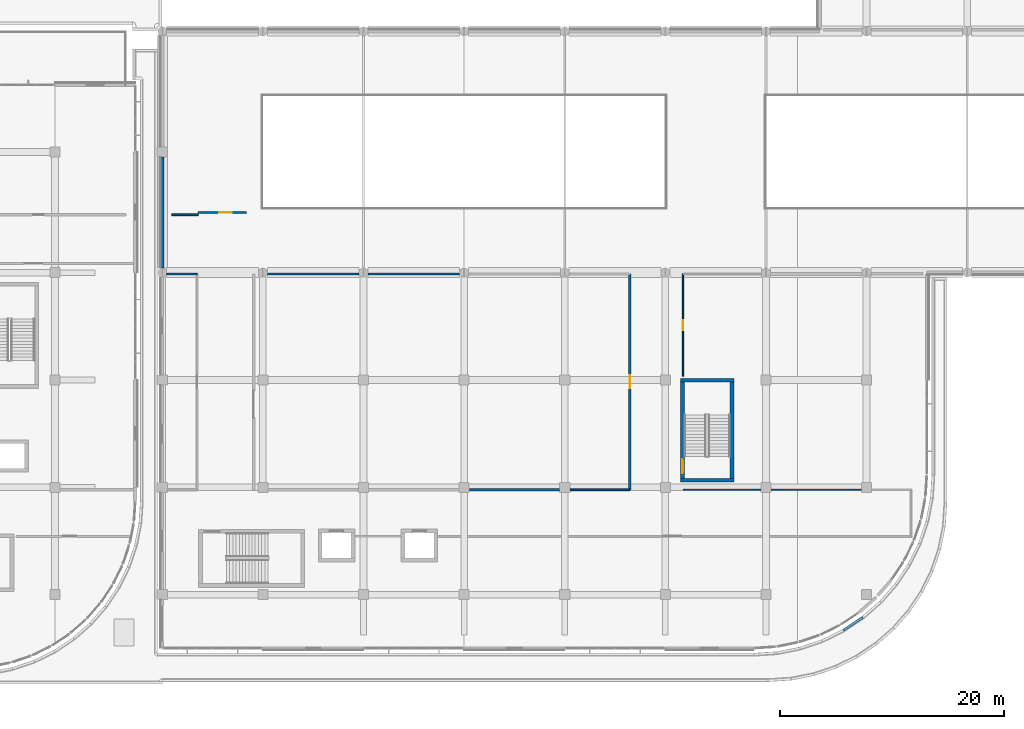
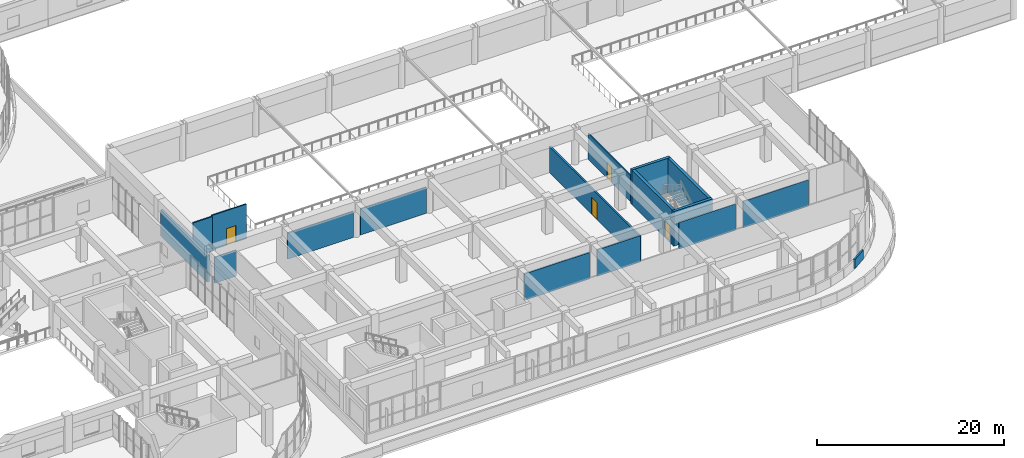
# One storey, part 66 of 96: 17 walls, 4 doors, 4 openings.
"""IFC4 building model written with IfcOpenShell, lengths in metres."""

from ifc_helpers import new_model, si_unit, direction, frame, frame_2d, origin, place, context, subcontext, project, spatial, rectangle, extrude, material, layer, layer_set, type_object, element, fill, save


model = new_model("IFC4")

# Units and contexts
model_context = context("Model", 3, precision=1e-05, world=origin(), true_north=direction((0.0, 1.0)))
body_context = subcontext(model_context, "Body", "Model", "MODEL_VIEW")
ifc_project = project(units=[si_unit("LENGTHUNIT", "METRE"), si_unit("AREAUNIT", "SQUARE_METRE"), si_unit("VOLUMEUNIT", "CUBIC_METRE"), si_unit("PLANEANGLEUNIT", "RADIAN"), si_unit("MASSUNIT", "GRAM", prefix="KILO")], contexts=[model_context])

# Site, building, storey
site_placement = place(None, origin())
site = spatial("IfcSite", under=ifc_project, at=site_placement, CompositionType="ELEMENT")
building_placement = place(site_placement, origin())
building = spatial("IfcBuilding", under=site, at=building_placement, Name="Cendralis Terraced Arcade", CompositionType="ELEMENT")
storey_placement = place(building_placement, frame((0.0, 0.0, 10.199951171875)))
storey = spatial("IfcBuildingStorey", under=building, at=storey_placement, Name="L02", CompositionType="ELEMENT", Elevation=10.199951171875)

# Wall, opening, door
ifc_material_1 = material(Name="Gypsum plasterboard acoustic partition", Category="concrete")
ifc_layer_1 = layer(ifc_material_1, 0.199951171875, Name="WL-ACOU-200")
ifc_layer_set_1 = layer_set([ifc_layer_1], Name="Gypsum plasterboard acoustic partition")
wall_type_1 = type_object("IfcWallType", Name="WL-ACOU-200", PredefinedType="PARTITIONING", material=ifc_layer_set_1)
wall_1_placement = place(storey_placement, frame((109.02001953125, 38.280029296875, 0.0), z_axis=(0.0, 0.0, 1.0), x_axis=(0.0, -1.0, 0.0)))
wall_1 = element("IfcWall", 1, at=wall_1_placement, inside=storey, type_object=wall_type_1, Name="Interior Partition Wall IW-L02-0487", PredefinedType="PARTITIONING", context=body_context, shape_type="SweptSolid", body=[
    extrude(rectangle(XDim=19.300048828125, YDim=0.199951171875, at=frame_2d((9.64990234375, 0.0))), origin(), (0.0, 0.0, 1.0), 3.39013671875),
])
opening_1_placement = place(wall_1_placement, frame((9.074951171875, 0.0, 0.0)))
opening_1 = element("IfcOpeningElement", 2, at=opening_1_placement, cuts=wall_1, Name="Opening D-L02-134", PredefinedType="OPENING", context=body_context, shape_type="SweptSolid", body=[
    extrude(rectangle(XDim=1.14990234375, YDim=2.199951171875, at=frame_2d((0.574951171875, 1.10009765625))), frame((0.0, 0.11181640625, 0.0), z_axis=(0.0, -1.0, 0.0), x_axis=(1.0, 0.0, 0.0)), (0.0, 0.0, 1.0), 0.223876953125),
])
ifc_material_2 = material(Name="Solid core Andean oak veneer door leaf", Category="aluminium")
door_type_1 = type_object("IfcDoorType", Name="ID-RM-1150x2200", OperationType="NOTDEFINED", PredefinedType="DOOR", material=ifc_material_2)
door_1_placement = place(opening_1_placement, origin())
door_1 = element("IfcDoor", 3, at=door_1_placement, inside=storey, type_object=door_type_1, Name="Artisan Coffee Roastery and Cafe Gallery Door D-L02-134", OperationType="SINGLE_SWING_LEFT", OverallHeight=2.199951171875, OverallWidth=1.14990234375, PredefinedType="DOOR", context=body_context, shape_type="SweptSolid", body=[
    extrude(rectangle(XDim=1.14990234375, YDim=2.199951171875, at=frame_2d((0.574951171875, 1.10009765625))), frame((0.0, 0.02490234375, 0.0), z_axis=(0.0, -1.0, 0.0), x_axis=(1.0, 0.0, 0.0)), (0.0, 0.0, 1.0), 0.050048828125),
])
fill(opening_1, door_1)

# Walls
ifc_material_3 = material(Name="Concrete f'c 42 MPa", Category="concrete")
ifc_layer_2 = layer(ifc_material_3, 0.340087890625, Name="WL-CORE-340")
ifc_layer_set_2 = layer_set([ifc_layer_2], Name="Concrete f'c 42 MPa")
wall_type_2 = type_object("IfcWallType", Name="WL-CORE-340", PredefinedType="SHEAR", material=ifc_layer_set_2)
for number, where, z_axis, x_axis, name in (
    (4, (113.56005859375, 19.830078125, 0.0), (0.0, 0.0, 1.0), (1.0, 0.0, 0.0), "Stair Core Reinforced Concrete Shear Wall SW-ST-09-L02-S"),
    (5, (113.56005859375, 28.77001953125, 0.0), (0.0, 0.0, 1.0), (1.0, 0.0, 0.0), "Stair Core Reinforced Concrete Shear Wall SW-ST-09-L02-N"),
):
    element("IfcWall", number, at=place(storey_placement, frame(where, z_axis=z_axis, x_axis=x_axis)), inside=storey, type_object=wall_type_2, Name=name, PredefinedType="SHEAR", context=body_context, shape_type="SweptSolid", body=[
        extrude(rectangle(XDim=4.780029296875, YDim=0.340087890625, at=frame_2d((2.39013671875, 0.0))), origin(), (0.0, 0.0, 1.0), 4.51513671875),
    ])
wall_2_placement = place(storey_placement, frame((118.169921875, 20.0, 0.0), z_axis=(0.0, 0.0, 1.0), x_axis=(0.0, 1.0, 0.0)))
element("IfcWall", 6, at=wall_2_placement, inside=storey, type_object=wall_type_2, Name="Stair Core Reinforced Concrete Shear Wall SW-ST-09-L02-E", PredefinedType="SHEAR", context=body_context, shape_type="SweptSolid", body=[
    extrude(rectangle(XDim=8.60009765625, YDim=0.340087890625, at=frame_2d((4.300048828125, 0.0))), origin(), (0.0, 0.0, 1.0), 4.51513671875),
])

# Wall, opening, door
wall_3_placement = place(storey_placement, frame((113.72998046875, 20.0, 0.0), z_axis=(0.0, 0.0, 1.0), x_axis=(0.0, 1.0, 0.0)))
wall_3 = element("IfcWall", 7, at=wall_3_placement, inside=storey, type_object=wall_type_2, Name="Stair Core Reinforced Concrete Shear Wall SW-ST-09-L02-W", PredefinedType="SHEAR", context=body_context, shape_type="SweptSolid", body=[
    extrude(rectangle(XDim=8.60009765625, YDim=0.340087890625, at=frame_2d((4.300048828125, 0.0))), origin(), (0.0, 0.0, 1.0), 4.51513671875),
])
opening_2_placement = place(wall_3_placement, frame((0.449951171875, 0.0, 0.0)))
opening_2 = element("IfcOpeningElement", 8, at=opening_2_placement, cuts=wall_3, Name="Opening D-ST-09-L02", PredefinedType="OPENING", context=body_context, shape_type="SweptSolid", body=[
    extrude(rectangle(XDim=1.25, YDim=2.199951171875, at=frame_2d((0.625, 1.10009765625))), frame((0.0, 0.18212890625, 0.0), z_axis=(0.0, -1.0, 0.0), x_axis=(1.0, 0.0, 0.0)), (0.0, 0.0, 1.0), 0.364013671875),
])
ifc_material_4 = material(Name="Galvanised fire-rated steel door assembly", Category="steel")
door_type_2 = type_object("IfcDoorType", Name="ID-ST-1250x2200", OperationType="NOTDEFINED", PredefinedType="DOOR", material=ifc_material_4)
door_2_placement = place(opening_2_placement, frame((1.25, 0.0, 0.0), z_axis=(0.0, 0.0, 1.0), x_axis=(-1.0, 0.0, 0.0)))
door_2 = element("IfcDoor", 9, at=door_2_placement, inside=storey, type_object=door_type_2, Name="Protected Stair ST-09 Fire Door (L02)", OperationType="SINGLE_SWING_RIGHT", OverallHeight=2.199951171875, OverallWidth=1.25, PredefinedType="DOOR", context=body_context, shape_type="SweptSolid", body=[
    extrude(rectangle(XDim=1.25, YDim=2.199951171875, at=frame_2d((0.625, 1.10009765625))), frame((0.0, 0.02490234375, 0.0), z_axis=(0.0, -1.0, 0.0), x_axis=(1.0, 0.0, 0.0)), (0.0, 0.0, 1.0), 0.050048828125),
])
fill(opening_2, door_2)

# Walls
ifc_material_5 = material(Name="Precast concrete f'c 40 MPa", Category="concrete")
ifc_layer_3 = layer(ifc_material_5, 0.300048828125, Name="WL-EXT-GRC-300")
ifc_layer_set_3 = layer_set([ifc_layer_3], Name="Precast concrete f'c 40 MPa")
wall_type_3 = type_object("IfcWallType", Name="WL-EXT-GRC-300", PredefinedType="SOLIDWALL", material=ifc_layer_set_3)
wall_4_placement = place(storey_placement, frame((67.199951171875, 38.798095703125, 0.0), z_axis=(0.0, 0.0, 1.0), x_axis=(0.0, 1.0, 0.0)))
element("IfcWall", 10, at=wall_4_placement, inside=storey, type_object=wall_type_3, Name="Exterior Architectural Wall EW-L02-0211", PredefinedType="SOLIDWALL", context=body_context, shape_type="SweptSolid", body=[
    extrude(rectangle(XDim=9.953857421875, YDim=0.300048828125, at=frame_2d((4.97705078125, 0.0))), origin(), (0.0, 0.0, 1.0), 3.39013671875),
])
ifc_layer_4 = layer(ifc_material_5, 0.205078125, Name="WL-PAR-205")
ifc_layer_set_4 = layer_set([ifc_layer_4], Name="Precast concrete f'c 40 MPa")
wall_type_4 = type_object("IfcWallType", Name="WL-PAR-205", PredefinedType="PARAPET", material=ifc_layer_set_4)
wall_5_placement = place(storey_placement, frame((128.12841796875, 6.41015625, 0.0), z_axis=(0.0, 0.0, 1.0), x_axis=(0.831490789314, 0.555538538074, 0.0)))
element("IfcWall", 11, at=wall_5_placement, inside=storey, type_object=wall_type_4, Name="Precast Concrete Roof Parapet Wall PAR-L02-160", PredefinedType="PARAPET", context=body_context, shape_type="SweptSolid", body=[
    extrude(rectangle(XDim=2.08251953125, YDim=0.205078125, at=frame_2d((1.041259765625, 0.0))), origin(), (0.0, 0.0, 1.0), 1.199951171875),
])
ifc_layer_5 = layer(ifc_material_1, 0.117919921875, Name="WL-PART-118")
ifc_layer_set_5 = layer_set([ifc_layer_5], Name="Gypsum plasterboard acoustic partition")
wall_type_5 = type_object("IfcWallType", Name="WL-PART-118", PredefinedType="PARTITIONING", material=ifc_layer_set_5)
wall_6_placement = place(storey_placement, frame((120.72998046875, 18.97998046875, 0.0), z_axis=(0.0, 0.0, 1.0), x_axis=(-1.0, 0.0, 0.0)))
element("IfcWall", 12, at=wall_6_placement, inside=storey, type_object=wall_type_5, Name="Interior Partition Wall IW-L02-0480", PredefinedType="PARTITIONING", context=body_context, shape_type="SweptSolid", body=[
    extrude(rectangle(XDim=6.949951171875, YDim=0.117919921875, at=frame_2d((3.47509765625, 0.0))), origin(), (0.0, 0.0, 1.0), 3.455078125),
])
ifc_layer_6 = layer(ifc_material_1, 0.1259765625, Name="WL-PART-126")
ifc_layer_set_6 = layer_set([ifc_layer_6], Name="Gypsum plasterboard acoustic partition")
wall_type_6 = type_object("IfcWallType", Name="WL-PART-126", PredefinedType="PARTITIONING", material=ifc_layer_set_6)
wall_7_placement = place(storey_placement, frame((129.72998046875, 18.97998046875, 0.0), z_axis=(0.0, 0.0, 1.0), x_axis=(-1.0, 0.0, 0.0)))
element("IfcWall", 13, at=wall_7_placement, inside=storey, type_object=wall_type_6, Name="Interior Partition Wall IW-L02-0478", PredefinedType="PARTITIONING", context=body_context, shape_type="SweptSolid", body=[
    extrude(rectangle(XDim=8.06005859375, YDim=0.1259765625, at=frame_2d((4.030029296875, 0.0))), origin(), (0.0, 0.0, 1.0), 3.455078125),
])

# Wall, opening, door
ifc_layer_7 = layer(ifc_material_1, 0.1298828125, Name="WL-PART-130")
ifc_layer_set_7 = layer_set([ifc_layer_7], Name="Gypsum plasterboard acoustic partition")
wall_type_7 = type_object("IfcWallType", Name="WL-PART-130", PredefinedType="PARTITIONING", material=ifc_layer_set_7)
wall_8_placement = place(storey_placement, frame((113.780029296875, 29.126220703125, 0.0), z_axis=(0.0, 0.0, 1.0), x_axis=(0.0, 1.0, 0.0)))
wall_8 = element("IfcWall", 14, at=wall_8_placement, inside=storey, type_object=wall_type_7, Name="Interior Partition Wall IW-L02-0477", PredefinedType="PARTITIONING", context=body_context, shape_type="SweptSolid", body=[
    extrude(rectangle(XDim=9.15380859375, YDim=0.1298828125, at=frame_2d((4.576904296875, 0.0))), origin(), (0.0, 0.0, 1.0), 3.39013671875),
])
opening_3_placement = place(wall_8_placement, frame((4.116943359375, 0.0, 0.0)))
opening_3 = element("IfcOpeningElement", 15, at=opening_3_placement, cuts=wall_8, Name="Opening D-L02-132", PredefinedType="OPENING", context=body_context, shape_type="SweptSolid", body=[
    extrude(rectangle(XDim=0.919921875, YDim=2.10009765625, at=frame_2d((0.4599609375, 1.050048828125))), frame((0.0, 0.076904296875, 0.0), z_axis=(0.0, -1.0, 0.0), x_axis=(1.0, 0.0, 0.0)), (0.0, 0.0, 1.0), 0.15380859375),
])
door_type_3 = type_object("IfcDoorType", Name="ID-RM-0920x2100", OperationType="NOTDEFINED", PredefinedType="DOOR", material=ifc_material_2)
door_3_placement = place(opening_3_placement, origin())
door_3 = element("IfcDoor", 16, at=door_3_placement, inside=storey, type_object=door_type_3, Name="Artisan Coffee Roastery and Cafe Gallery Door D-L02-132", OperationType="SINGLE_SWING_RIGHT", OverallHeight=2.10009765625, OverallWidth=0.919921875, PredefinedType="DOOR", context=body_context, shape_type="SweptSolid", body=[
    extrude(rectangle(XDim=0.919921875, YDim=2.10009765625, at=frame_2d((0.4599609375, 1.050048828125))), frame((0.0, 0.02490234375, 0.0), z_axis=(0.0, -1.0, 0.0), x_axis=(1.0, 0.0, 0.0)), (0.0, 0.0, 1.0), 0.050048828125),
])
fill(opening_3, door_3)

# Walls
ifc_layer_8 = layer(ifc_material_1, 0.14501953125, Name="WL-PART-145")
ifc_layer_set_8 = layer_set([ifc_layer_8], Name="Gypsum plasterboard acoustic partition")
wall_type_8 = type_object("IfcWallType", Name="WL-PART-145", PredefinedType="PARTITIONING", material=ifc_layer_set_8)
wall_9_placement = place(storey_placement, frame((67.6201171875, 38.280029296875, 0.0), z_axis=(0.0, 0.0, 1.0), x_axis=(1.0, 0.0, 0.0)))
element("IfcWall", 17, at=wall_9_placement, inside=storey, type_object=wall_type_8, Name="Interior Partition Wall IW-L02-0497", PredefinedType="PARTITIONING", context=body_context, shape_type="SweptSolid", body=[
    extrude(rectangle(XDim=2.699951171875, YDim=0.14501953125, at=frame_2d((1.35009765625, 0.0))), origin(), (0.0, 0.0, 1.0), 3.39013671875),
])
ifc_layer_9 = layer(ifc_material_1, 0.159912109375, Name="WL-PART-160")
ifc_layer_set_9 = layer_set([ifc_layer_9], Name="Gypsum plasterboard acoustic partition")
wall_type_9 = type_object("IfcWallType", Name="WL-PART-160", PredefinedType="PARTITIONING", material=ifc_layer_set_9)
wall_10_placement = place(storey_placement, frame((70.4296875, 43.580078125, 0.0), z_axis=(0.0, 0.0, 1.0), x_axis=(-1.0, 0.0, 0.0)))
element("IfcWall", 18, at=wall_10_placement, inside=storey, type_object=wall_type_9, Name="Interior Partition Wall IW-L02-0450", PredefinedType="PARTITIONING", context=body_context, shape_type="SweptSolid", body=[
    extrude(rectangle(XDim=2.3896484375, YDim=0.159912109375, at=frame_2d((1.19482421875, 0.0))), origin(), (0.0, 0.0, 1.0), 4.51513671875),
])

# Wall, opening, door
ifc_layer_10 = layer(ifc_material_1, 0.1650390625, Name="WL-PART-165")
ifc_layer_set_10 = layer_set([ifc_layer_10], Name="Gypsum plasterboard acoustic partition")
wall_type_10 = type_object("IfcWallType", Name="WL-PART-165", PredefinedType="PARTITIONING", material=ifc_layer_set_10)
wall_11_placement = place(storey_placement, frame((74.719482421875, 43.780029296875, 0.0), z_axis=(0.0, 0.0, 1.0), x_axis=(-1.0, 0.0, 0.0)))
wall_11 = element("IfcWall", 19, at=wall_11_placement, inside=storey, type_object=wall_type_10, Name="Interior Partition Wall IW-L02-0449", PredefinedType="PARTITIONING", context=body_context, shape_type="SweptSolid", body=[
    extrude(rectangle(XDim=4.289794921875, YDim=0.1650390625, at=frame_2d((2.14501953125, 0.0))), origin(), (0.0, 0.0, 1.0), 4.51513671875),
])
opening_4_placement = place(wall_11_placement, frame((1.309326171875, 0.0, 0.0)))
opening_4 = element("IfcOpeningElement", 20, at=opening_4_placement, cuts=wall_11, Name="Opening D-L02-123", PredefinedType="OPENING", context=body_context, shape_type="SweptSolid", body=[
    extrude(rectangle(XDim=1.1201171875, YDim=2.179931640625, at=frame_2d((0.56005859375, 1.08984375))), frame((0.0, 0.094482421875, 0.0), z_axis=(0.0, -1.0, 0.0), x_axis=(1.0, 0.0, 0.0)), (0.0, 0.0, 1.0), 0.18896484375),
])
door_type_4 = type_object("IfcDoorType", Name="ID-RM-1120x2180", OperationType="NOTDEFINED", PredefinedType="DOOR", material=ifc_material_2)
door_4_placement = place(opening_4_placement, origin())
door_4 = element("IfcDoor", 21, at=door_4_placement, inside=storey, type_object=door_type_4, Name="Glass-Roofed Shopping Arcade Upper Boutiques Door D-L02-123", OperationType="SINGLE_SWING_LEFT", OverallHeight=2.179931640625, OverallWidth=1.1201171875, PredefinedType="DOOR", context=body_context, shape_type="SweptSolid", body=[
    extrude(rectangle(XDim=1.1201171875, YDim=2.179931640625, at=frame_2d((0.56005859375, 1.08984375))), frame((0.0, 0.02490234375, 0.0), z_axis=(0.0, -1.0, 0.0), x_axis=(1.0, 0.0, 0.0)), (0.0, 0.0, 1.0), 0.050048828125),
])
fill(opening_4, door_4)

# Walls
wall_12_placement = place(storey_placement, frame((85.6201171875, 38.280029296875, 0.0), z_axis=(0.0, 0.0, 1.0), x_axis=(1.0, 0.0, 0.0)))
element("IfcWall", 22, at=wall_12_placement, inside=storey, type_object=wall_type_10, Name="Interior Partition Wall IW-L02-0494", PredefinedType="PARTITIONING", context=body_context, shape_type="SweptSolid", body=[
    extrude(rectangle(XDim=8.159912109375, YDim=0.1650390625, at=frame_2d((4.080078125, 0.0))), origin(), (0.0, 0.0, 1.0), 3.39013671875),
])
ifc_layer_11 = layer(ifc_material_1, 0.169921875, Name="WL-PART-170")
ifc_layer_set_11 = layer_set([ifc_layer_11], Name="Gypsum plasterboard acoustic partition")
wall_type_11 = type_object("IfcWallType", Name="WL-PART-170", PredefinedType="PARTITIONING", material=ifc_layer_set_11)
wall_13_placement = place(storey_placement, frame((76.6201171875, 38.280029296875, 0.0), z_axis=(0.0, 0.0, 1.0), x_axis=(1.0, 0.0, 0.0)))
element("IfcWall", 23, at=wall_13_placement, inside=storey, type_object=wall_type_11, Name="Interior Partition Wall IW-L02-0493", PredefinedType="PARTITIONING", context=body_context, shape_type="SweptSolid", body=[
    extrude(rectangle(XDim=8.159912109375, YDim=0.169921875, at=frame_2d((4.080078125, 0.0))), origin(), (0.0, 0.0, 1.0), 3.39013671875),
])
ifc_layer_12 = layer(ifc_material_1, 0.175048828125, Name="WL-PART-175")
ifc_layer_set_12 = layer_set([ifc_layer_12], Name="Gypsum plasterboard acoustic partition")
wall_type_12 = type_object("IfcWallType", Name="WL-PART-175", PredefinedType="PARTITIONING", material=ifc_layer_set_12)
wall_14_placement = place(storey_placement, frame((109.02001953125, 18.97998046875, 0.0), z_axis=(0.0, 0.0, 1.0), x_axis=(-1.0, 0.0, 0.0)))
element("IfcWall", 24, at=wall_14_placement, inside=storey, type_object=wall_type_12, Name="Interior Partition Wall IW-L02-0492", PredefinedType="PARTITIONING", context=body_context, shape_type="SweptSolid", body=[
    extrude(rectangle(XDim=5.35009765625, YDim=0.175048828125, at=frame_2d((2.675048828125, 0.0))), origin(), (0.0, 0.0, 1.0), 3.455078125),
])
ifc_layer_13 = layer(ifc_material_1, 0.18505859375, Name="WL-PART-185")
ifc_layer_set_13 = layer_set([ifc_layer_13], Name="Gypsum plasterboard acoustic partition")
wall_type_13 = type_object("IfcWallType", Name="WL-PART-185", PredefinedType="PARTITIONING", material=ifc_layer_set_13)
wall_15_placement = place(storey_placement, frame((102.72998046875, 18.97998046875, 0.0), z_axis=(0.0, 0.0, 1.0), x_axis=(-1.0, 0.0, 0.0)))
element("IfcWall", 25, at=wall_15_placement, inside=storey, type_object=wall_type_13, Name="Interior Partition Wall IW-L02-0490", PredefinedType="PARTITIONING", context=body_context, shape_type="SweptSolid", body=[
    extrude(rectangle(XDim=8.06005859375, YDim=0.18505859375, at=frame_2d((4.030029296875, 0.0))), origin(), (0.0, 0.0, 1.0), 3.455078125),
])

save(model, "model.ifc")
